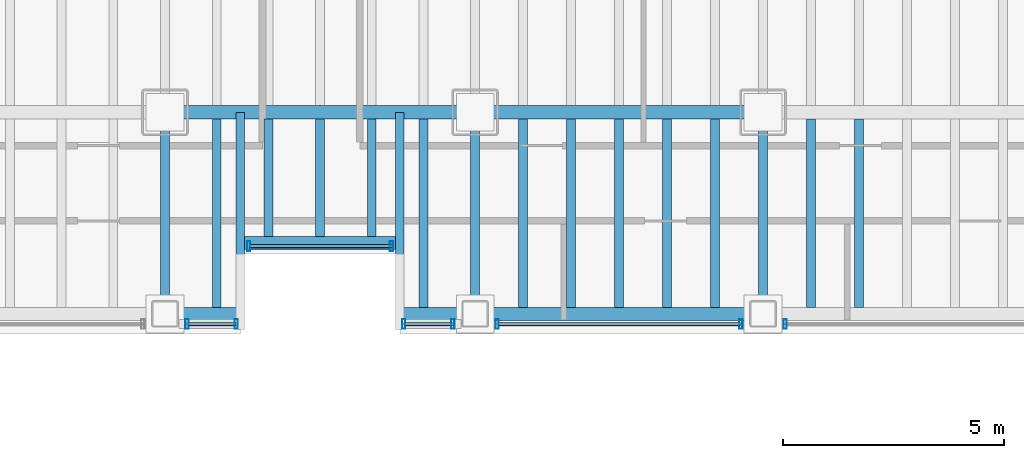
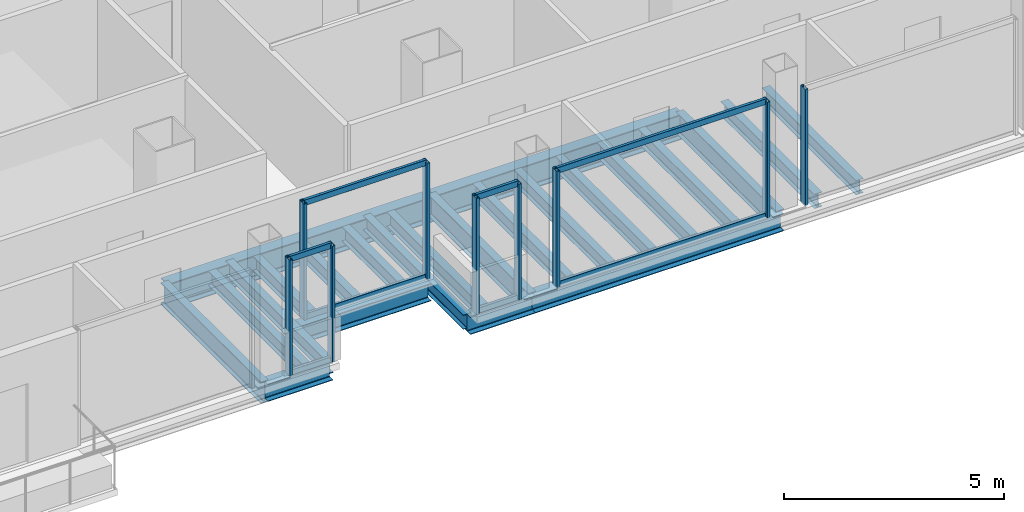
# One storey, part 4 of 20: 23 beams, 17 members, 5 elements without a shape of their own.
"""IFC4 building model written with IfcOpenShell, lengths in metres."""

from ifc_helpers import new_model, si_unit, direction, frame, origin, origin_2d, place, context, subcontext, project, spatial, hollow_rectangle, i_section, extrude, material, material_profile, profile_set, type_object, element, aggregate, save


model = new_model("IFC4")

# Units and contexts
model_context = context("Model", 3, precision=1e-05, world=origin(), true_north=direction((0.0, 1.0)))
body_context = subcontext(model_context, "Body", "Model", "MODEL_VIEW")
ifc_project = project(units=[si_unit("LENGTHUNIT", "METRE"), si_unit("AREAUNIT", "SQUARE_METRE"), si_unit("VOLUMEUNIT", "CUBIC_METRE"), si_unit("PLANEANGLEUNIT", "RADIAN"), si_unit("MASSUNIT", "GRAM", prefix="KILO")], contexts=[model_context])

# Site, building, storey
site_placement = place(None, origin())
site = spatial("IfcSite", under=ifc_project, at=site_placement, CompositionType="ELEMENT")
building_placement = place(site_placement, origin())
building = spatial("IfcBuilding", under=site, at=building_placement, Name="Noeulbin Bourse Tower", CompositionType="ELEMENT")
storey_placement = place(building_placement, frame((0.0, 0.0, 65.5)))
storey = spatial("IfcBuildingStorey", under=building, at=storey_placement, Name="L16", CompositionType="ELEMENT", Elevation=65.5)

# Beams
ifc_material_1 = material(Name="Steel S355", Category="steel")
ifc_material_profile_1 = material_profile(ifc_material_1, i_section(OverallWidth=0.199951171875, OverallDepth=0.60009765625, WebThickness=0.010986328125, FlangeThickness=0.01708984375, FilletRadius=0.02197265625, at=origin_2d()), Name="H-600x200x11x17", Category="LoadBearing")
ifc_profile_set_1 = profile_set([ifc_material_profile_1], Name="Steel S355")
beam_type_1 = type_object("IfcBeamType", Name="BM-GRD-600", PredefinedType="USERDEFINED", material=ifc_profile_set_1)
for number, where, z_axis, x_axis, name in (
    (1, (24.0, 15.449951171875, -0.47998046875), (0.0, 1.0, 0.0), (-1.0, 0.0, 0.0), "Tower Primary Girder NS L16-2.1"),
    (2, (31.0, 15.449951171875, -0.47998046875), (0.0, 1.0, 0.0), (-1.0, 0.0, 0.0), "Tower Primary Girder NS L16-3.1"),
    (3, (37.5, 15.449951171875, -0.47998046875), (0.0, 1.0, 0.0), (-1.0, 0.0, 0.0), "Tower Primary Girder NS L16-4.1"),
):
    element("IfcBeam", number, at=place(storey_placement, frame(where, z_axis=z_axis, x_axis=x_axis)), inside=storey, type_object=beam_type_1, Name=name, ObjectType="GIRDER", PredefinedType="USERDEFINED", context=body_context, shape_type="SweptSolid", body=[
        extrude(i_section(OverallWidth=0.199951171875, OverallDepth=0.60009765625, WebThickness=0.010986328125, FlangeThickness=0.01708984375, FilletRadius=0.02197265625, at=origin_2d()), origin(), (0.0, 0.0, 1.0), 4.550048828125),
    ])
ifc_material_profile_2 = material_profile(ifc_material_1, i_section(OverallWidth=0.300048828125, OverallDepth=0.699951171875, WebThickness=0.012939453125, FlangeThickness=0.02392578125, FilletRadius=0.02392578125, at=origin_2d()), Name="H-700x300x13x24", Category="LoadBearing")
ifc_profile_set_2 = profile_set([ifc_material_profile_2], Name="Steel S355")
beam_type_2 = type_object("IfcBeamType", Name="BM-GRD-700", PredefinedType="USERDEFINED", material=ifc_profile_set_2)
beam_1_placement = place(storey_placement, frame((24.0, 20.0, -0.530029296875), z_axis=(1.0, 0.0, 0.0), x_axis=(0.0, 1.0, 0.0)))
element("IfcBeam", 4, at=beam_1_placement, inside=storey, type_object=beam_type_2, Name="Tower Primary Girder EW L16-1.3", ObjectType="GIRDER", PredefinedType="USERDEFINED", context=body_context, shape_type="SweptSolid", body=[
    extrude(i_section(OverallWidth=0.300048828125, OverallDepth=0.699951171875, WebThickness=0.012939453125, FlangeThickness=0.02392578125, FilletRadius=0.02392578125, at=origin_2d()), origin(), (0.0, 0.0, 1.0), 7.0),
])
beam_2_placement = place(storey_placement, frame((31.0, 20.0, -0.530029296875), z_axis=(1.0, 0.0, 0.0), x_axis=(0.0, 1.0, 0.0)))
element("IfcBeam", 5, at=beam_2_placement, inside=storey, type_object=beam_type_2, Name="Tower Primary Girder EW L16-1.4", ObjectType="GIRDER", PredefinedType="USERDEFINED", context=body_context, shape_type="SweptSolid", body=[
    extrude(i_section(OverallWidth=0.300048828125, OverallDepth=0.699951171875, WebThickness=0.012939453125, FlangeThickness=0.02392578125, FilletRadius=0.02392578125, at=origin_2d()), origin(), (0.0, 0.0, 1.0), 6.5),
])
ifc_material_profile_3 = material_profile(ifc_material_1, i_section(OverallWidth=0.199951171875, OverallDepth=0.39990234375, WebThickness=0.008056640625, FlangeThickness=0.012939453125, FilletRadius=0.01611328125, at=origin_2d()), Name="H-400x200x8x13", Category="LoadBearing")
ifc_profile_set_3 = profile_set([ifc_material_profile_3], Name="Steel S355")
beam_type_3 = type_object("IfcBeamType", Name="BM-SEC-400", PredefinedType="BEAM", material=ifc_profile_set_3)
for number, where, z_axis, x_axis, name in (
    (6, (25.699951171875, 15.449951171875, -0.3798828125), (0.0, 1.0, 0.0), (-1.0, 0.0, 0.0), "BM-L16-SRT-W"),
    (7, (29.300048828125, 15.449951171875, -0.3798828125), (0.0, 1.0, 0.0), (-1.0, 0.0, 0.0), "BM-L16-SRT-E"),
):
    element("IfcBeam", number, at=place(storey_placement, frame(where, z_axis=z_axis, x_axis=x_axis)), inside=storey, type_object=beam_type_3, Name=name, PredefinedType="BEAM", context=body_context, shape_type="SweptSolid", body=[
        extrude(i_section(OverallWidth=0.199951171875, OverallDepth=0.39990234375, WebThickness=0.008056640625, FlangeThickness=0.012939453125, FilletRadius=0.01611328125, at=origin_2d()), origin(), (0.0, 0.0, 1.0), 4.550048828125),
    ])
beam_3_placement = place(storey_placement, frame((25.166748046875, 15.60009765625, -0.3798828125), z_axis=(0.0, 1.0, 0.0), x_axis=(-1.0, 0.0, 0.0)))
element("IfcBeam", 8, at=beam_3_placement, inside=storey, type_object=beam_type_3, Name="Tower Composite Joist L16-25", PredefinedType="BEAM", context=body_context, shape_type="SweptSolid", body=[
    extrude(i_section(OverallWidth=0.199951171875, OverallDepth=0.39990234375, WebThickness=0.008056640625, FlangeThickness=0.012939453125, FilletRadius=0.01611328125, at=origin_2d()), origin(), (0.0, 0.0, 1.0), 4.25),
])
for number, where, z_axis, x_axis, name in (
    (9, (26.333251953125, 17.199951171875, -0.3798828125), (0.0, 1.0, 0.0), (-1.0, 0.0, 0.0), "Tower Composite Joist L16-28"),
    (10, (27.5, 17.199951171875, -0.3798828125), (0.0, 1.0, 0.0), (-1.0, 0.0, 0.0), "Tower Composite Joist L16-31"),
    (11, (28.666748046875, 17.199951171875, -0.3798828125), (0.0, 1.0, 0.0), (-1.0, 0.0, 0.0), "Tower Composite Joist L16-34"),
):
    element("IfcBeam", number, at=place(storey_placement, frame(where, z_axis=z_axis, x_axis=x_axis)), inside=storey, type_object=beam_type_3, Name=name, PredefinedType="BEAM", context=body_context, shape_type="SweptSolid", body=[
        extrude(i_section(OverallWidth=0.199951171875, OverallDepth=0.39990234375, WebThickness=0.008056640625, FlangeThickness=0.012939453125, FilletRadius=0.01611328125, at=origin_2d()), origin(), (0.0, 0.0, 1.0), 2.650146484375),
    ])
for number, where, z_axis, x_axis, name in (
    (12, (29.833251953125, 15.60009765625, -0.3798828125), (0.0, 1.0, 0.0), (-1.0, 0.0, 0.0), "Tower Composite Joist L16-37"),
    (13, (32.083251953125, 15.60009765625, -0.3798828125), (0.0, 1.0, 0.0), (-1.0, 0.0, 0.0), "Tower Composite Joist L16-40"),
    (14, (33.166748046875, 15.60009765625, -0.3798828125), (0.0, 1.0, 0.0), (-1.0, 0.0, 0.0), "Tower Composite Joist L16-43"),
    (15, (34.25, 15.60009765625, -0.3798828125), (0.0, 1.0, 0.0), (-1.0, 0.0, 0.0), "Tower Composite Joist L16-46"),
    (16, (35.333251953125, 15.60009765625, -0.3798828125), (0.0, 1.0, 0.0), (-1.0, 0.0, 0.0), "Tower Composite Joist L16-49"),
    (17, (36.416748046875, 15.60009765625, -0.3798828125), (0.0, 1.0, 0.0), (-1.0, 0.0, 0.0), "Tower Composite Joist L16-52"),
    (18, (38.583251953125, 15.60009765625, -0.3798828125), (0.0, 1.0, 0.0), (-1.0, 0.0, 0.0), "Tower Composite Joist L16-55"),
    (19, (39.666748046875, 15.60009765625, -0.3798828125), (0.0, 1.0, 0.0), (-1.0, 0.0, 0.0), "Tower Composite Joist L16-58"),
):
    element("IfcBeam", number, at=place(storey_placement, frame(where, z_axis=z_axis, x_axis=x_axis)), inside=storey, type_object=beam_type_3, Name=name, PredefinedType="BEAM", context=body_context, shape_type="SweptSolid", body=[
        extrude(i_section(OverallWidth=0.199951171875, OverallDepth=0.39990234375, WebThickness=0.008056640625, FlangeThickness=0.012939453125, FilletRadius=0.01611328125, at=origin_2d()), origin(), (0.0, 0.0, 1.0), 4.25),
    ])
ifc_material_profile_4 = material_profile(ifc_material_1, i_section(OverallWidth=0.300048828125, OverallDepth=0.488037109375, WebThickness=0.010986328125, FlangeThickness=0.01806640625, FilletRadius=0.02197265625, at=origin_2d()), Name="H-488x300x11x18", Category="LoadBearing")
ifc_profile_set_4 = profile_set([ifc_material_profile_4], Name="Steel S355")
beam_type_4 = type_object("IfcBeamType", Name="BM-SPN-488", PredefinedType="SPANDREL", material=ifc_profile_set_4)
beam_4_placement = place(storey_placement, frame((25.800048828125, 17.050048828125, -0.424072265625), z_axis=(1.0, 0.0, 0.0), x_axis=(0.0, 1.0, 0.0)))
element("IfcBeam", 20, at=beam_4_placement, inside=storey, type_object=beam_type_4, Name="South Recess Spandrel L16-2B", PredefinedType="SPANDREL", context=body_context, shape_type="SweptSolid", body=[
    extrude(i_section(OverallWidth=0.300048828125, OverallDepth=0.488037109375, WebThickness=0.010986328125, FlangeThickness=0.01806640625, FilletRadius=0.02197265625, at=origin_2d()), origin(), (0.0, 0.0, 1.0), 3.39990234375),
])
for number, where, z_axis, x_axis, name in (
    (21, (24.0, 15.449951171875, -0.424072265625), (1.0, 0.0, 0.0), (0.0, 1.0, 0.0), "South Spandrel L16-2A"),
    (22, (29.300048828125, 15.449951171875, -0.424072265625), (1.0, 0.0, 0.0), (0.0, 1.0, 0.0), "South Spandrel L16-2C"),
):
    element("IfcBeam", number, at=place(storey_placement, frame(where, z_axis=z_axis, x_axis=x_axis)), inside=storey, type_object=beam_type_4, Name=name, PredefinedType="SPANDREL", context=body_context, shape_type="SweptSolid", body=[
        extrude(i_section(OverallWidth=0.300048828125, OverallDepth=0.488037109375, WebThickness=0.010986328125, FlangeThickness=0.01806640625, FilletRadius=0.02197265625, at=origin_2d()), origin(), (0.0, 0.0, 1.0), 1.699951171875),
    ])
beam_5_placement = place(storey_placement, frame((31.0, 15.449951171875, -0.424072265625), z_axis=(1.0, 0.0, 0.0), x_axis=(0.0, 1.0, 0.0)))
element("IfcBeam", 23, at=beam_5_placement, inside=storey, type_object=beam_type_4, Name="South Spandrel L16-3", PredefinedType="SPANDREL", context=body_context, shape_type="SweptSolid", body=[
    extrude(i_section(OverallWidth=0.300048828125, OverallDepth=0.488037109375, WebThickness=0.010986328125, FlangeThickness=0.01806640625, FilletRadius=0.02197265625, at=origin_2d()), origin(), (0.0, 0.0, 1.0), 6.5),
])

# Curtain wall, members
ifc_material_2 = material(Name="Dark Solar-Control Double Glazing", Category="glass")
curtain_wall_type = type_object("IfcCurtainWallType", Name="CW-SYS-2", PredefinedType="NOTDEFINED", material=ifc_material_2)
curtain_wall_1_placement = place(storey_placement, origin())
curtain_wall_1 = element("IfcCurtainWall", 24, at=curtain_wall_1_placement, inside=storey, type_object=curtain_wall_type, Name="Unitised Curtain Wall CW-L16-SREC", PredefinedType="NOTDEFINED")
ifc_material_3 = material(Name="Anodised Aluminium 6063-T6", Category="aluminium")
ifc_material_profile_5 = material_profile(ifc_material_3, hollow_rectangle(XDim=0.074951171875, YDim=0.219970703125, WallThickness=0.0048828125, InnerFilletRadius=0.00244140625, OuterFilletRadius=0.0048828125, at=origin_2d()), Name="ALU-MULL-75x220x5", Category="LoadBearing")
ifc_profile_set_5 = profile_set([ifc_material_profile_5], Name="Anodised Aluminium 6063-T6")
member_type_1 = type_object("IfcMemberType", Name="CW-SYS-2-MUL", PredefinedType="MULLION", material=ifc_profile_set_5)
member_1_placement = place(storey_placement, frame((25.889892578125, 16.97998046875, -0.02001953125), z_axis=(0.0, 0.0, 1.0), x_axis=(1.0, 0.0, 0.0)))
member_1 = element("IfcMember", 25, at=member_1_placement, type_object=member_type_1, Name="Curtain Wall Mullion CW-L16-SREC-M00", PredefinedType="MULLION", context=body_context, shape_type="SweptSolid", body=[
    extrude(hollow_rectangle(XDim=0.074951171875, YDim=0.219970703125, WallThickness=0.0048828125, InnerFilletRadius=0.00244140625, OuterFilletRadius=0.0048828125, at=origin_2d()), origin(), (0.0, 0.0, 1.0), 3.219970703125),
])
member_2_placement = place(storey_placement, frame((29.110107421875, 16.97998046875, -0.02001953125), z_axis=(0.0, 0.0, 1.0), x_axis=(1.0, 0.0, 0.0)))
member_2 = element("IfcMember", 26, at=member_2_placement, type_object=member_type_1, Name="Curtain Wall Mullion CW-L16-SREC-M01", PredefinedType="MULLION", context=body_context, shape_type="SweptSolid", body=[
    extrude(hollow_rectangle(XDim=0.074951171875, YDim=0.219970703125, WallThickness=0.0048828125, InnerFilletRadius=0.00244140625, OuterFilletRadius=0.0048828125, at=origin_2d()), origin(), (0.0, 0.0, 1.0), 3.219970703125),
])

curtain_wall_2_placement = place(storey_placement, origin())
curtain_wall_2 = element("IfcCurtainWall", 27, at=curtain_wall_2_placement, inside=storey, type_object=curtain_wall_type, Name="Unitised Curtain Wall CW-L16-S2-S2", PredefinedType="NOTDEFINED")
member_3_placement = place(storey_placement, frame((24.5, 15.219970703125, -0.02001953125), z_axis=(0.0, 0.0, 1.0), x_axis=(1.0, 0.0, 0.0)))
member_3 = element("IfcMember", 28, at=member_3_placement, type_object=member_type_1, Name="Curtain Wall Mullion CW-L16-S2-S2-M00", PredefinedType="MULLION", context=body_context, shape_type="SweptSolid", body=[
    extrude(hollow_rectangle(XDim=0.074951171875, YDim=0.219970703125, WallThickness=0.0048828125, InnerFilletRadius=0.00244140625, OuterFilletRadius=0.0048828125, at=origin_2d()), origin(), (0.0, 0.0, 1.0), 3.219970703125),
])
member_4_placement = place(storey_placement, frame((25.610107421875, 15.219970703125, -0.02001953125), z_axis=(0.0, 0.0, 1.0), x_axis=(1.0, 0.0, 0.0)))
member_4 = element("IfcMember", 29, at=member_4_placement, type_object=member_type_1, Name="Curtain Wall Mullion CW-L16-S2-S2-M01", PredefinedType="MULLION", context=body_context, shape_type="SweptSolid", body=[
    extrude(hollow_rectangle(XDim=0.074951171875, YDim=0.219970703125, WallThickness=0.0048828125, InnerFilletRadius=0.00244140625, OuterFilletRadius=0.0048828125, at=origin_2d()), origin(), (0.0, 0.0, 1.0), 3.219970703125),
])

curtain_wall_3_placement = place(storey_placement, origin())
curtain_wall_3 = element("IfcCurtainWall", 30, at=curtain_wall_3_placement, inside=storey, type_object=curtain_wall_type, Name="Unitised Curtain Wall CW-L16-S3-S1", PredefinedType="NOTDEFINED")
member_5_placement = place(storey_placement, frame((29.389892578125, 15.219970703125, -0.02001953125), z_axis=(0.0, 0.0, 1.0), x_axis=(1.0, 0.0, 0.0)))
member_5 = element("IfcMember", 31, at=member_5_placement, type_object=member_type_1, Name="Curtain Wall Mullion CW-L16-S3-S1-M00", PredefinedType="MULLION", context=body_context, shape_type="SweptSolid", body=[
    extrude(hollow_rectangle(XDim=0.074951171875, YDim=0.219970703125, WallThickness=0.0048828125, InnerFilletRadius=0.00244140625, OuterFilletRadius=0.0048828125, at=origin_2d()), origin(), (0.0, 0.0, 1.0), 3.219970703125),
])
member_6_placement = place(storey_placement, frame((30.5, 15.219970703125, -0.02001953125), z_axis=(0.0, 0.0, 1.0), x_axis=(1.0, 0.0, 0.0)))
member_6 = element("IfcMember", 32, at=member_6_placement, type_object=member_type_1, Name="Curtain Wall Mullion CW-L16-S3-S1-M01", PredefinedType="MULLION", context=body_context, shape_type="SweptSolid", body=[
    extrude(hollow_rectangle(XDim=0.074951171875, YDim=0.219970703125, WallThickness=0.0048828125, InnerFilletRadius=0.00244140625, OuterFilletRadius=0.0048828125, at=origin_2d()), origin(), (0.0, 0.0, 1.0), 3.219970703125),
])

curtain_wall_4_placement = place(storey_placement, origin())
curtain_wall_4 = element("IfcCurtainWall", 33, at=curtain_wall_4_placement, inside=storey, type_object=curtain_wall_type, Name="Unitised Curtain Wall CW-L16-S3-S2", PredefinedType="NOTDEFINED")
member_7_placement = place(storey_placement, frame((31.5, 15.219970703125, -0.02001953125), z_axis=(0.0, 0.0, 1.0), x_axis=(1.0, 0.0, 0.0)))
member_7 = element("IfcMember", 34, at=member_7_placement, type_object=member_type_1, Name="Curtain Wall Mullion CW-L16-S3-S2-M00", PredefinedType="MULLION", context=body_context, shape_type="SweptSolid", body=[
    extrude(hollow_rectangle(XDim=0.074951171875, YDim=0.219970703125, WallThickness=0.0048828125, InnerFilletRadius=0.00244140625, OuterFilletRadius=0.0048828125, at=origin_2d()), origin(), (0.0, 0.0, 1.0), 3.219970703125),
])
member_8_placement = place(storey_placement, frame((37.0, 15.219970703125, -0.02001953125), z_axis=(0.0, 0.0, 1.0), x_axis=(1.0, 0.0, 0.0)))
member_8 = element("IfcMember", 35, at=member_8_placement, type_object=member_type_1, Name="Curtain Wall Mullion CW-L16-S3-S2-M01", PredefinedType="MULLION", context=body_context, shape_type="SweptSolid", body=[
    extrude(hollow_rectangle(XDim=0.074951171875, YDim=0.219970703125, WallThickness=0.0048828125, InnerFilletRadius=0.00244140625, OuterFilletRadius=0.0048828125, at=origin_2d()), origin(), (0.0, 0.0, 1.0), 3.219970703125),
])

# Curtain wall, member
curtain_wall_5_placement = place(storey_placement, origin())
curtain_wall_5 = element("IfcCurtainWall", 36, at=curtain_wall_5_placement, inside=storey, type_object=curtain_wall_type, Name="Unitised Curtain Wall CW-L16-S3-S3", PredefinedType="NOTDEFINED")
member_9_placement = place(storey_placement, frame((38.0, 15.219970703125, -0.02001953125), z_axis=(0.0, 0.0, 1.0), x_axis=(1.0, 0.0, 0.0)))
member_9 = element("IfcMember", 37, at=member_9_placement, type_object=member_type_1, Name="Curtain Wall Mullion CW-L16-S3-S3-M00", PredefinedType="MULLION", context=body_context, shape_type="SweptSolid", body=[
    extrude(hollow_rectangle(XDim=0.074951171875, YDim=0.219970703125, WallThickness=0.0048828125, InnerFilletRadius=0.00244140625, OuterFilletRadius=0.0048828125, at=origin_2d()), origin(), (0.0, 0.0, 1.0), 3.219970703125),
])
aggregate(curtain_wall_5, [member_9])

# Member
ifc_material_profile_6 = material_profile(ifc_material_3, hollow_rectangle(XDim=0.074951171875, YDim=0.159912109375, WallThickness=0.0048828125, InnerFilletRadius=0.00244140625, OuterFilletRadius=0.0048828125, at=origin_2d()), Name="ALU-TRAN-75x160x5", Category="LoadBearing")
ifc_profile_set_6 = profile_set([ifc_material_profile_6], Name="Anodised Aluminium 6063-T6")
member_type_2 = type_object("IfcMemberType", Name="CW-SYS-2-TRN", PredefinedType="USERDEFINED", material=ifc_profile_set_6)
member_10_placement = place(storey_placement, frame((25.89990234375, 16.97998046875, 0.010009765625), z_axis=(1.0, 0.0, 0.0), x_axis=(0.0, 1.0, 0.0)))
member_10 = element("IfcMember", 38, at=member_10_placement, type_object=member_type_2, Name="Curtain Wall Transom CW-L16-SREC-T00", ObjectType="TRANSOM", PredefinedType="USERDEFINED", context=body_context, shape_type="SweptSolid", body=[
    extrude(hollow_rectangle(XDim=0.074951171875, YDim=0.159912109375, WallThickness=0.0048828125, InnerFilletRadius=0.00244140625, OuterFilletRadius=0.0048828125, at=origin_2d()), origin(), (0.0, 0.0, 1.0), 3.2001953125),
])

member_11_placement = place(storey_placement, frame((25.89990234375, 16.97998046875, 3.169921875), z_axis=(1.0, 0.0, 0.0), x_axis=(0.0, 1.0, 0.0)))
member_11 = element("IfcMember", 39, at=member_11_placement, type_object=member_type_2, Name="Curtain Wall Transom CW-L16-SREC-T01", ObjectType="TRANSOM", PredefinedType="USERDEFINED", context=body_context, shape_type="SweptSolid", body=[
    extrude(hollow_rectangle(XDim=0.074951171875, YDim=0.159912109375, WallThickness=0.0048828125, InnerFilletRadius=0.00244140625, OuterFilletRadius=0.0048828125, at=origin_2d()), origin(), (0.0, 0.0, 1.0), 3.2001953125),
])

aggregate(curtain_wall_1, [member_1, member_2, member_10, member_11])

member_12_placement = place(storey_placement, frame((24.510009765625, 15.219970703125, 0.010009765625), z_axis=(1.0, 0.0, 0.0), x_axis=(0.0, 1.0, 0.0)))
member_12 = element("IfcMember", 40, at=member_12_placement, type_object=member_type_2, Name="Curtain Wall Transom CW-L16-S2-S2-T00", ObjectType="TRANSOM", PredefinedType="USERDEFINED", context=body_context, shape_type="SweptSolid", body=[
    extrude(hollow_rectangle(XDim=0.074951171875, YDim=0.159912109375, WallThickness=0.0048828125, InnerFilletRadius=0.00244140625, OuterFilletRadius=0.0048828125, at=origin_2d()), origin(), (0.0, 0.0, 1.0), 1.090087890625),
])

member_13_placement = place(storey_placement, frame((24.510009765625, 15.219970703125, 3.169921875), z_axis=(1.0, 0.0, 0.0), x_axis=(0.0, 1.0, 0.0)))
member_13 = element("IfcMember", 41, at=member_13_placement, type_object=member_type_2, Name="Curtain Wall Transom CW-L16-S2-S2-T01", ObjectType="TRANSOM", PredefinedType="USERDEFINED", context=body_context, shape_type="SweptSolid", body=[
    extrude(hollow_rectangle(XDim=0.074951171875, YDim=0.159912109375, WallThickness=0.0048828125, InnerFilletRadius=0.00244140625, OuterFilletRadius=0.0048828125, at=origin_2d()), origin(), (0.0, 0.0, 1.0), 1.090087890625),
])

aggregate(curtain_wall_2, [member_3, member_4, member_12, member_13])

member_14_placement = place(storey_placement, frame((29.39990234375, 15.219970703125, 0.010009765625), z_axis=(1.0, 0.0, 0.0), x_axis=(0.0, 1.0, 0.0)))
member_14 = element("IfcMember", 42, at=member_14_placement, type_object=member_type_2, Name="Curtain Wall Transom CW-L16-S3-S1-T00", ObjectType="TRANSOM", PredefinedType="USERDEFINED", context=body_context, shape_type="SweptSolid", body=[
    extrude(hollow_rectangle(XDim=0.074951171875, YDim=0.159912109375, WallThickness=0.0048828125, InnerFilletRadius=0.00244140625, OuterFilletRadius=0.0048828125, at=origin_2d()), origin(), (0.0, 0.0, 1.0), 1.090087890625),
])

member_15_placement = place(storey_placement, frame((29.39990234375, 15.219970703125, 3.169921875), z_axis=(1.0, 0.0, 0.0), x_axis=(0.0, 1.0, 0.0)))
member_15 = element("IfcMember", 43, at=member_15_placement, type_object=member_type_2, Name="Curtain Wall Transom CW-L16-S3-S1-T01", ObjectType="TRANSOM", PredefinedType="USERDEFINED", context=body_context, shape_type="SweptSolid", body=[
    extrude(hollow_rectangle(XDim=0.074951171875, YDim=0.159912109375, WallThickness=0.0048828125, InnerFilletRadius=0.00244140625, OuterFilletRadius=0.0048828125, at=origin_2d()), origin(), (0.0, 0.0, 1.0), 1.090087890625),
])

aggregate(curtain_wall_3, [member_5, member_6, member_14, member_15])

member_16_placement = place(storey_placement, frame((31.510009765625, 15.219970703125, 0.010009765625), z_axis=(1.0, 0.0, 0.0), x_axis=(0.0, 1.0, 0.0)))
member_16 = element("IfcMember", 44, at=member_16_placement, type_object=member_type_2, Name="Curtain Wall Transom CW-L16-S3-S2-T00", ObjectType="TRANSOM", PredefinedType="USERDEFINED", context=body_context, shape_type="SweptSolid", body=[
    extrude(hollow_rectangle(XDim=0.074951171875, YDim=0.159912109375, WallThickness=0.0048828125, InnerFilletRadius=0.00244140625, OuterFilletRadius=0.0048828125, at=origin_2d()), origin(), (0.0, 0.0, 1.0), 5.47998046875),
])

member_17_placement = place(storey_placement, frame((31.510009765625, 15.219970703125, 3.169921875), z_axis=(1.0, 0.0, 0.0), x_axis=(0.0, 1.0, 0.0)))
member_17 = element("IfcMember", 45, at=member_17_placement, type_object=member_type_2, Name="Curtain Wall Transom CW-L16-S3-S2-T01", ObjectType="TRANSOM", PredefinedType="USERDEFINED", context=body_context, shape_type="SweptSolid", body=[
    extrude(hollow_rectangle(XDim=0.074951171875, YDim=0.159912109375, WallThickness=0.0048828125, InnerFilletRadius=0.00244140625, OuterFilletRadius=0.0048828125, at=origin_2d()), origin(), (0.0, 0.0, 1.0), 5.47998046875),
])

aggregate(curtain_wall_4, [member_7, member_8, member_16, member_17])

save(model, "model.ifc")
